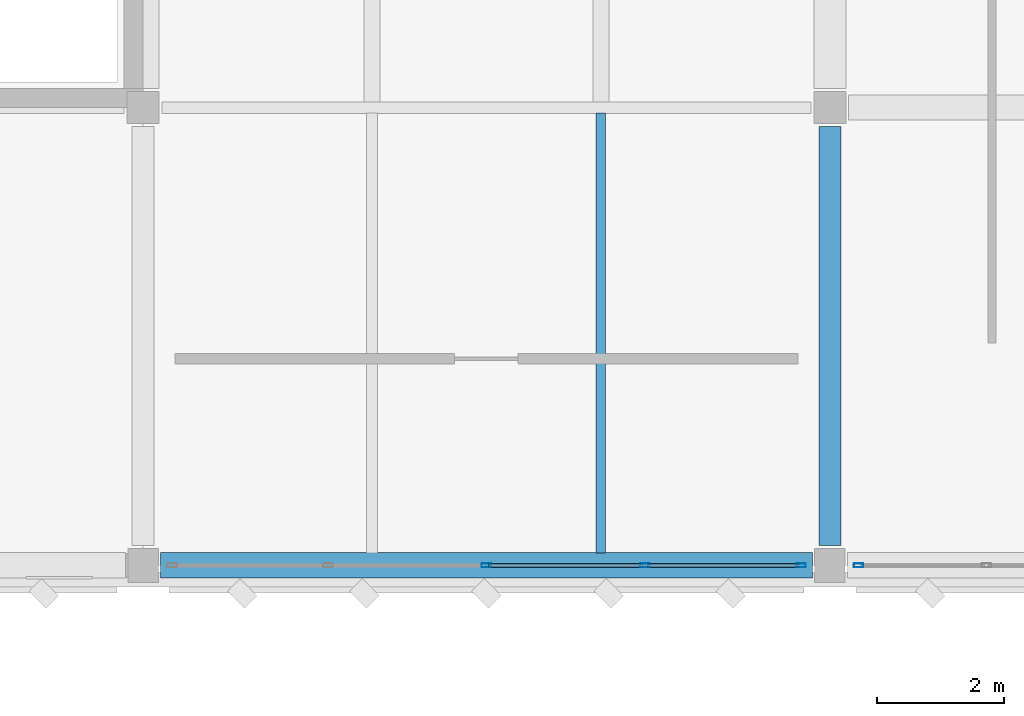
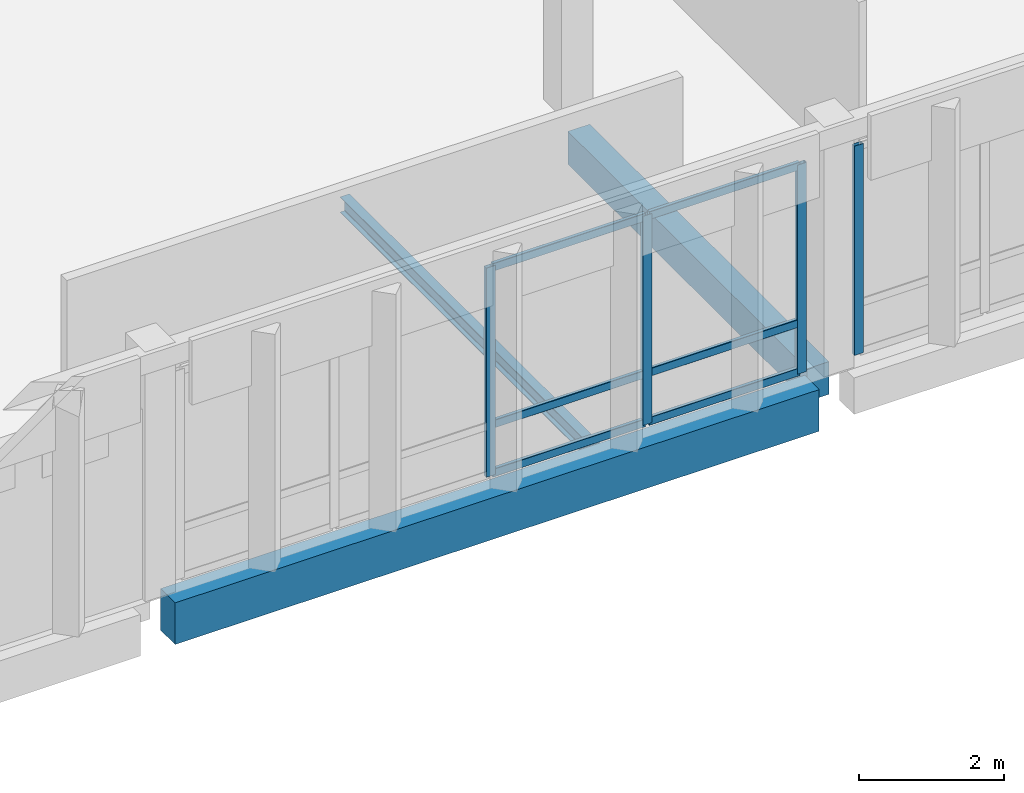
# One storey, part 33 of 72: 10 members, 3 beams, 2 elements without a shape of their own.
"""IFC4 building model written with IfcOpenShell, lengths in metres."""

from ifc_helpers import new_model, si_unit, direction, frame, origin, origin_2d, place, context, subcontext, project, spatial, rectangle, hollow_rectangle, i_section, extrude, material, material_profile, profile_set, type_object, element, aggregate, save


model = new_model("IFC4")

# Units and contexts
model_context = context("Model", 3, precision=1e-05, world=origin(), true_north=direction((0.0, 1.0)))
body_context = subcontext(model_context, "Body", "Model", "MODEL_VIEW")
ifc_project = project(units=[si_unit("LENGTHUNIT", "METRE"), si_unit("AREAUNIT", "SQUARE_METRE"), si_unit("VOLUMEUNIT", "CUBIC_METRE"), si_unit("PLANEANGLEUNIT", "RADIAN"), si_unit("MASSUNIT", "GRAM", prefix="KILO")], contexts=[model_context])

# Site, building, storey
site_placement = place(None, origin())
site = spatial("IfcSite", under=ifc_project, at=site_placement, CompositionType="ELEMENT")
building_placement = place(site_placement, origin())
building = spatial("IfcBuilding", under=site, at=building_placement, Name="Lusvemor Sports Hall", CompositionType="ELEMENT")
storey_placement = place(building_placement, frame((0.0, 0.0, 15.0)))
storey = spatial("IfcBuildingStorey", under=building, at=storey_placement, Name="L03", CompositionType="ELEMENT", Elevation=15.0)

# Beam
ifc_material_1 = material(Name="Concrete C40/50", Category="concrete")
ifc_material_profile_1 = material_profile(ifc_material_1, rectangle(XDim=0.35009765625, YDim=0.550048828125, at=origin_2d()), Name="RC350x550")
ifc_profile_set_1 = profile_set([ifc_material_profile_1], Name="Concrete C40/50")
beam_type_1 = type_object("IfcBeamType", Name="BEAM_RC_550", PredefinedType="BEAM", material=ifc_profile_set_1)
beam_1_placement = place(storey_placement, frame((75.60009765625, 97.51611328125, -0.514892578125), z_axis=(0.0, 1.0, 0.0), x_axis=(-1.0, 0.0, 0.0)))
element("IfcBeam", 1, at=beam_1_placement, inside=storey, type_object=beam_type_1, Name="Beam L03 8:N-P", PredefinedType="BEAM", context=body_context, shape_type="SweptSolid", body=[
    extrude(rectangle(XDim=0.35009765625, YDim=0.550048828125, at=origin_2d()), origin(), (0.0, 0.0, 1.0), 6.587890625),
])

# Curtain wall, members
ifc_material_2 = material(Name="Thermally broken bronze-anodized aluminium", Category="aluminium")
curtain_wall_type = type_object("IfcCurtainWallType", Name="CW_WING_B", PredefinedType="NOTDEFINED", material=ifc_material_2)
curtain_wall_1_placement = place(storey_placement, origin())
curtain_wall_1 = element("IfcCurtainWall", 2, at=curtain_wall_1_placement, inside=storey, type_object=curtain_wall_type, Name="Curtain Wall CW-L03-S-3-4", PredefinedType="NOTDEFINED")
ifc_material_3 = material(Name="Thermally broken bronze-anodized aluminium", Category="aluminium")
ifc_material_profile_2 = material_profile(ifc_material_3, hollow_rectangle(XDim=0.06494140625, YDim=0.14990234375, WallThickness=0.00390625, InnerFilletRadius=0.00390625, OuterFilletRadius=0.008056640625, at=origin_2d()), Name="CWMUL150x65x4")
ifc_profile_set_2 = profile_set([ifc_material_profile_2], Name="Thermally broken bronze-anodized aluminium")
member_type_1 = type_object("IfcMemberType", Name="CW_MUL_B", PredefinedType="MULLION", material=ifc_profile_set_2)
member_1_placement = place(storey_placement, frame((75.1474609375, 97.199951171875, 0.0), z_axis=(0.0, 0.0, 1.0), x_axis=(0.0, -1.0, 0.0)))
member_1 = element("IfcMember", 3, at=member_1_placement, type_object=member_type_1, Name="CW02 mullion 1", PredefinedType="MULLION", context=body_context, shape_type="SweptSolid", body=[
    extrude(hollow_rectangle(XDim=0.06494140625, YDim=0.14990234375, WallThickness=0.00390625, InnerFilletRadius=0.00390625, OuterFilletRadius=0.008056640625, at=origin_2d()), origin(), (0.0, 0.0, 1.0), 3.52001953125),
])
member_2_placement = place(storey_placement, frame((72.68994140625, 97.199951171875, 0.0), z_axis=(0.0, 0.0, 1.0), x_axis=(0.0, -1.0, 0.0)))
member_2 = element("IfcMember", 4, at=member_2_placement, type_object=member_type_1, Name="CW02 mullion 2", PredefinedType="MULLION", context=body_context, shape_type="SweptSolid", body=[
    extrude(hollow_rectangle(XDim=0.06494140625, YDim=0.14990234375, WallThickness=0.00390625, InnerFilletRadius=0.00390625, OuterFilletRadius=0.008056640625, at=origin_2d()), origin(), (0.0, 0.0, 1.0), 3.52001953125),
])
member_3_placement = place(storey_placement, frame((70.199951171875, 97.199951171875, 0.0), z_axis=(0.0, 0.0, 1.0), x_axis=(0.0, -1.0, 0.0)))
member_3 = element("IfcMember", 5, at=member_3_placement, type_object=member_type_1, Name="CW02 mullion 3", PredefinedType="MULLION", context=body_context, shape_type="SweptSolid", body=[
    extrude(hollow_rectangle(XDim=0.06494140625, YDim=0.14990234375, WallThickness=0.00390625, InnerFilletRadius=0.00390625, OuterFilletRadius=0.008056640625, at=origin_2d()), origin(), (0.0, 0.0, 1.0), 3.52001953125),
])

# Curtain wall, member
curtain_wall_2_placement = place(storey_placement, origin())
curtain_wall_2 = element("IfcCurtainWall", 6, at=curtain_wall_2_placement, inside=storey, type_object=curtain_wall_type, Name="Curtain Wall CW-L03-S-3-5", PredefinedType="NOTDEFINED")
member_4_placement = place(storey_placement, frame((76.052490234375, 97.199951171875, 0.0), z_axis=(0.0, 0.0, 1.0), x_axis=(0.0, -1.0, 0.0)))
member_4 = element("IfcMember", 7, at=member_4_placement, type_object=member_type_1, Name="CW02 mullion 5", PredefinedType="MULLION", context=body_context, shape_type="SweptSolid", body=[
    extrude(hollow_rectangle(XDim=0.06494140625, YDim=0.14990234375, WallThickness=0.00390625, InnerFilletRadius=0.00390625, OuterFilletRadius=0.008056640625, at=origin_2d()), origin(), (0.0, 0.0, 1.0), 3.52001953125),
])
aggregate(curtain_wall_2, [member_4])

# Member
ifc_material_4 = material(Name="Thermally broken bronze-anodized aluminium", Category="aluminium")
ifc_material_profile_3 = material_profile(ifc_material_4, hollow_rectangle(XDim=0.06005859375, YDim=0.135009765625, WallThickness=0.00390625, InnerFilletRadius=0.00390625, OuterFilletRadius=0.008056640625, at=origin_2d()), Name="CWTRN135x60x4")
ifc_profile_set_3 = profile_set([ifc_material_profile_3], Name="Thermally broken bronze-anodized aluminium")
member_type_2 = type_object("IfcMemberType", Name="CW_TRN_B", PredefinedType="USERDEFINED", material=ifc_profile_set_3)
member_5_placement = place(storey_placement, frame((75.114990234375, 97.199951171875, 0.030029296875), z_axis=(-1.0, 0.0, 0.0), x_axis=(0.0, -1.0, 0.0)))
member_5 = element("IfcMember", 8, at=member_5_placement, type_object=member_type_2, Name="CW02 transom 1.1", ObjectType="TRANSOM", PredefinedType="USERDEFINED", context=body_context, shape_type="SweptSolid", body=[
    extrude(hollow_rectangle(XDim=0.06005859375, YDim=0.135009765625, WallThickness=0.00390625, InnerFilletRadius=0.00390625, OuterFilletRadius=0.008056640625, at=origin_2d()), origin(), (0.0, 0.0, 1.0), 2.392578125),
])

member_6_placement = place(storey_placement, frame((75.114990234375, 97.199951171875, 0.85009765625), z_axis=(-1.0, 0.0, 0.0), x_axis=(0.0, -1.0, 0.0)))
member_6 = element("IfcMember", 9, at=member_6_placement, type_object=member_type_2, Name="CW02 transom 1.2", ObjectType="TRANSOM", PredefinedType="USERDEFINED", context=body_context, shape_type="SweptSolid", body=[
    extrude(hollow_rectangle(XDim=0.06005859375, YDim=0.135009765625, WallThickness=0.00390625, InnerFilletRadius=0.00390625, OuterFilletRadius=0.008056640625, at=origin_2d()), origin(), (0.0, 0.0, 1.0), 2.392578125),
])

member_7_placement = place(storey_placement, frame((75.114990234375, 97.199951171875, 3.489990234375), z_axis=(-1.0, 0.0, 0.0), x_axis=(0.0, -1.0, 0.0)))
member_7 = element("IfcMember", 10, at=member_7_placement, type_object=member_type_2, Name="CW02 transom 1.3", ObjectType="TRANSOM", PredefinedType="USERDEFINED", context=body_context, shape_type="SweptSolid", body=[
    extrude(hollow_rectangle(XDim=0.06005859375, YDim=0.135009765625, WallThickness=0.00390625, InnerFilletRadius=0.00390625, OuterFilletRadius=0.008056640625, at=origin_2d()), origin(), (0.0, 0.0, 1.0), 2.392578125),
])

member_8_placement = place(storey_placement, frame((72.657470703125, 97.199951171875, 0.030029296875), z_axis=(-1.0, 0.0, 0.0), x_axis=(0.0, -1.0, 0.0)))
member_8 = element("IfcMember", 11, at=member_8_placement, type_object=member_type_2, Name="CW02 transom 2.1", ObjectType="TRANSOM", PredefinedType="USERDEFINED", context=body_context, shape_type="SweptSolid", body=[
    extrude(hollow_rectangle(XDim=0.06005859375, YDim=0.135009765625, WallThickness=0.00390625, InnerFilletRadius=0.00390625, OuterFilletRadius=0.008056640625, at=origin_2d()), origin(), (0.0, 0.0, 1.0), 2.425048828125),
])

member_9_placement = place(storey_placement, frame((72.657470703125, 97.199951171875, 0.85009765625), z_axis=(-1.0, 0.0, 0.0), x_axis=(0.0, -1.0, 0.0)))
member_9 = element("IfcMember", 12, at=member_9_placement, type_object=member_type_2, Name="CW02 transom 2.2", ObjectType="TRANSOM", PredefinedType="USERDEFINED", context=body_context, shape_type="SweptSolid", body=[
    extrude(hollow_rectangle(XDim=0.06005859375, YDim=0.135009765625, WallThickness=0.00390625, InnerFilletRadius=0.00390625, OuterFilletRadius=0.008056640625, at=origin_2d()), origin(), (0.0, 0.0, 1.0), 2.425048828125),
])

member_10_placement = place(storey_placement, frame((72.657470703125, 97.199951171875, 3.489990234375), z_axis=(-1.0, 0.0, 0.0), x_axis=(0.0, -1.0, 0.0)))
member_10 = element("IfcMember", 13, at=member_10_placement, type_object=member_type_2, Name="CW02 transom 2.3", ObjectType="TRANSOM", PredefinedType="USERDEFINED", context=body_context, shape_type="SweptSolid", body=[
    extrude(hollow_rectangle(XDim=0.06005859375, YDim=0.135009765625, WallThickness=0.00390625, InnerFilletRadius=0.00390625, OuterFilletRadius=0.008056640625, at=origin_2d()), origin(), (0.0, 0.0, 1.0), 2.425048828125),
])

aggregate(curtain_wall_1, [member_1, member_2, member_3, member_5, member_6, member_7, member_8, member_9, member_10])

# Beams
ifc_material_5 = material(Name="Steel S355", Category="steel")
ifc_material_profile_4 = material_profile(ifc_material_5, i_section(OverallWidth=0.14794921875, OverallDepth=0.26611328125, WebThickness=0.007568359375, FlangeThickness=0.012939453125, FilletRadius=0.012939453125, at=origin_2d()), Name="W250x44.8")
ifc_profile_set_4 = profile_set([ifc_material_profile_4], Name="Steel S355")
beam_type_2 = type_object("IfcBeamType", Name="JOIST_ST_250M", PredefinedType="JOIST", material=ifc_profile_set_4)
beam_2_placement = place(storey_placement, frame((72.0, 97.39599609375, -0.376953125), z_axis=(0.0, 1.0, 0.0), x_axis=(-1.0, 0.0, 0.0)))
element("IfcBeam", 14, at=beam_2_placement, inside=storey, type_object=beam_type_2, Name="Secondary Joist L03 7-8/N-P #2", PredefinedType="JOIST", context=body_context, shape_type="SweptSolid", body=[
    extrude(i_section(OverallWidth=0.14794921875, OverallDepth=0.26611328125, WebThickness=0.007568359375, FlangeThickness=0.012939453125, FilletRadius=0.012939453125, at=origin_2d()), origin(), (0.0, 0.0, 1.0), 6.91748046875),
])
ifc_material_6 = material(Name="Concrete C40/50", Category="concrete")
ifc_material_profile_5 = material_profile(ifc_material_6, rectangle(XDim=0.39990234375, YDim=0.699951171875, at=origin_2d()), Name="RC400x700")
ifc_profile_set_5 = profile_set([ifc_material_profile_5], Name="Concrete C40/50")
beam_type_3 = type_object("IfcBeamType", Name="SPAND_EXT_700", PredefinedType="SPANDREL", material=ifc_profile_set_5)
beam_3_placement = place(storey_placement, frame((65.075927734375, 97.199951171875, -0.590087890625), z_axis=(1.0, 0.0, 0.0), x_axis=(0.0, 1.0, 0.0)))
element("IfcBeam", 15, at=beam_3_placement, inside=storey, type_object=beam_type_3, Name="Beam L03 N:7-8", PredefinedType="SPANDREL", context=body_context, shape_type="SweptSolid", body=[
    extrude(rectangle(XDim=0.39990234375, YDim=0.699951171875, at=origin_2d()), origin(), (0.0, 0.0, 1.0), 10.248046875),
])

save(model, "model.ifc")
